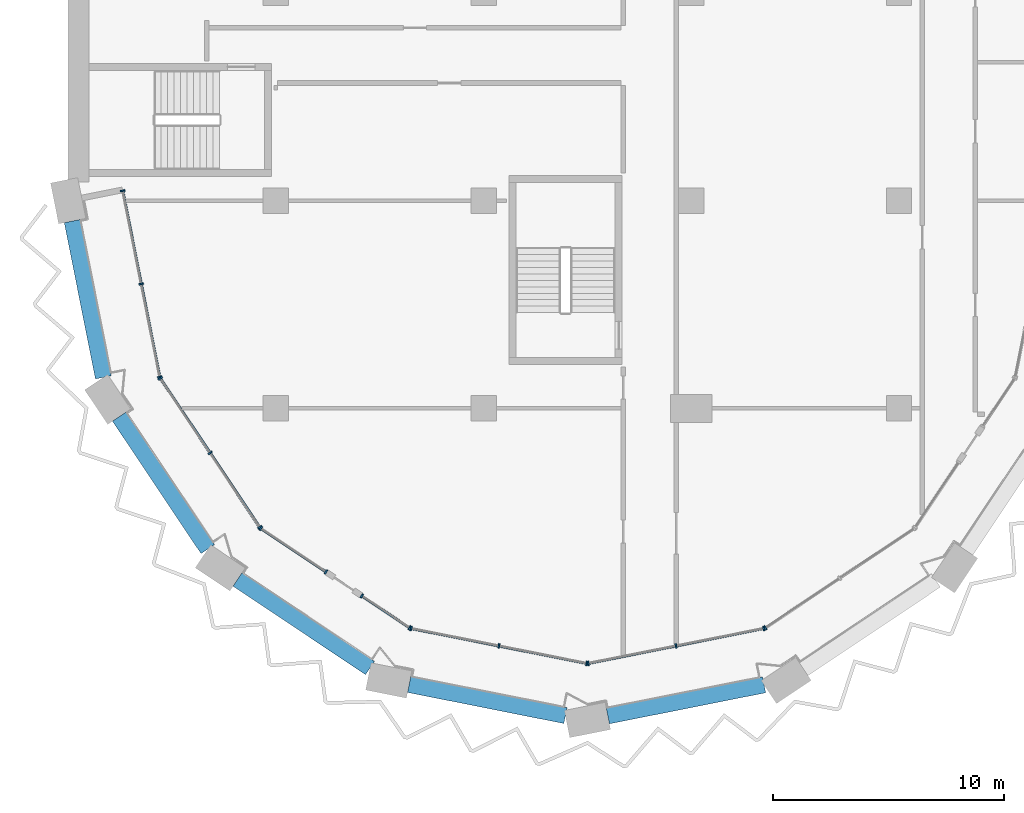
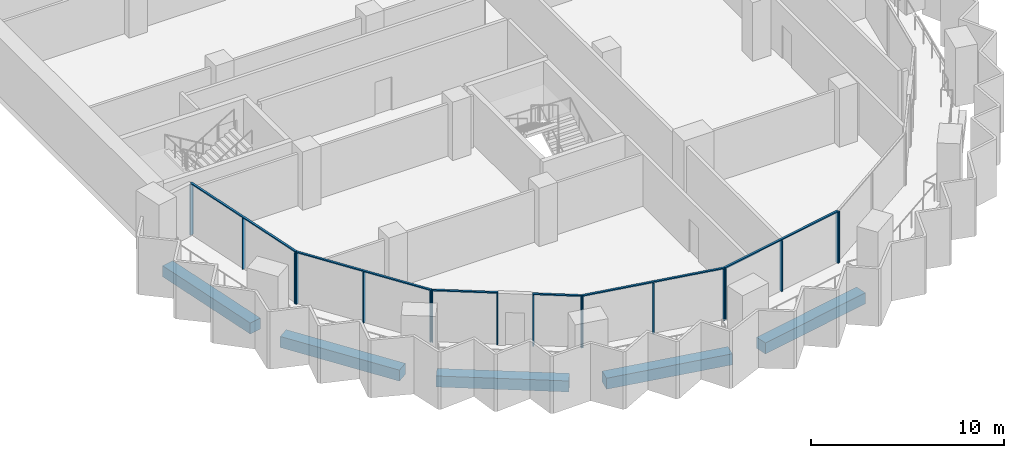
# One storey, part 2 of 17: 23 members, 5 beams, 7 elements without a shape of their own.
"""IFC4 building model written with IfcOpenShell, lengths in metres."""

from ifc_helpers import new_model, si_unit, direction, frame, origin, origin_2d, place, context, subcontext, project, spatial, rectangle, extrude, material, material_profile, profile_set, type_object, element, aggregate, save


model = new_model("IFC4")

# Units and contexts
model_context = context("Model", 3, precision=1e-05, world=origin(), true_north=direction((0.0, 1.0)))
body_context = subcontext(model_context, "Body", "Model", "MODEL_VIEW")
ifc_project = project(units=[si_unit("LENGTHUNIT", "METRE"), si_unit("AREAUNIT", "SQUARE_METRE"), si_unit("VOLUMEUNIT", "CUBIC_METRE"), si_unit("PLANEANGLEUNIT", "RADIAN"), si_unit("MASSUNIT", "GRAM", prefix="KILO")], contexts=[model_context])

# Site, building, storey
site_placement = place(None, origin())
site = spatial("IfcSite", under=ifc_project, at=site_placement, CompositionType="ELEMENT")
building_placement = place(site_placement, origin())
building = spatial("IfcBuilding", under=site, at=building_placement, Name="Hunhe Ridgeline Campus", CompositionType="ELEMENT")
storey_placement = place(building_placement, frame((0.0, 0.0, 197.60009765625)))
storey = spatial("IfcBuildingStorey", under=building, at=storey_placement, Name="L50", CompositionType="ELEMENT", Elevation=197.60009765625)

# Curtain wall, members
ifc_material_1 = material(Name="Aluminium 6063", Category="aluminium")
curtain_wall_type = type_object("IfcCurtainWallType", Name="Curtain wall CW-5", PredefinedType="NOTDEFINED", material=ifc_material_1)
curtain_wall_1_placement = place(storey_placement, origin())
curtain_wall_1 = element("IfcCurtainWall", 1, at=curtain_wall_1_placement, inside=storey, type_object=curtain_wall_type, Name="Curtain wall 01", PredefinedType="NOTDEFINED")
ifc_material_profile_1 = material_profile(ifc_material_1, rectangle(XDim=0.199951171875, YDim=0.070068359375, at=origin_2d()))
ifc_profile_set_1 = profile_set([ifc_material_profile_1], Name="Aluminium 6063")
member_type_1 = type_object("IfcMemberType", Name="CW-5 aluminium mullion", PredefinedType="MULLION", material=ifc_profile_set_1)
member_1_placement = place(storey_placement, frame((2.361572265625, 36.434326171875, 0.0), z_axis=(0.0, 0.0, 1.0), x_axis=(0.980784280831, 0.195095347137, 0.0)))
member_1 = element("IfcMember", 2, at=member_1_placement, type_object=member_type_1, Name="CW-5 mullion 1", PredefinedType="MULLION", context=body_context, shape_type="SweptSolid", body=[
    extrude(rectangle(XDim=0.199951171875, YDim=0.070068359375, at=origin_2d()), origin(), (0.0, 0.0, 1.0), 3.22998046875),
])
member_2_placement = place(storey_placement, frame((3.16455078125, 32.3974609375, 0.0), z_axis=(0.0, 0.0, 1.0), x_axis=(0.980784280831, 0.195095347137, 0.0)))
member_2 = element("IfcMember", 3, at=member_2_placement, type_object=member_type_1, Name="CW-5 mullion 2", PredefinedType="MULLION", context=body_context, shape_type="SweptSolid", body=[
    extrude(rectangle(XDim=0.199951171875, YDim=0.070068359375, at=origin_2d()), origin(), (0.0, 0.0, 1.0), 3.22998046875),
])
member_3_placement = place(storey_placement, frame((3.967529296875, 28.36083984375, 0.0), z_axis=(0.0, 0.0, 1.0), x_axis=(0.980784280831, 0.195095347137, 0.0)))
member_3 = element("IfcMember", 4, at=member_3_placement, type_object=member_type_1, Name="CW-5 mullion 3", PredefinedType="MULLION", context=body_context, shape_type="SweptSolid", body=[
    extrude(rectangle(XDim=0.199951171875, YDim=0.070068359375, at=origin_2d()), origin(), (0.0, 0.0, 1.0), 3.22998046875),
])

curtain_wall_2_placement = place(storey_placement, origin())
curtain_wall_2 = element("IfcCurtainWall", 5, at=curtain_wall_2_placement, inside=storey, type_object=curtain_wall_type, Name="Curtain wall 02", PredefinedType="NOTDEFINED")
member_4_placement = place(storey_placement, frame((3.993896484375, 28.29736328125, 0.0), z_axis=(0.0, 0.0, 1.0), x_axis=(0.831469584522, 0.555570274596, 0.0)))
member_4 = element("IfcMember", 6, at=member_4_placement, type_object=member_type_1, Name="CW-5 mullion 1", PredefinedType="MULLION", context=body_context, shape_type="SweptSolid", body=[
    extrude(rectangle(XDim=0.199951171875, YDim=0.070068359375, at=origin_2d()), origin(), (0.0, 0.0, 1.0), 3.22998046875),
])
member_5_placement = place(storey_placement, frame((6.147705078125, 25.07373046875, 0.0), z_axis=(0.0, 0.0, 1.0), x_axis=(0.831469584522, 0.555570274596, 0.0)))
member_5 = element("IfcMember", 7, at=member_5_placement, type_object=member_type_1, Name="CW-5 mullion 2", PredefinedType="MULLION", context=body_context, shape_type="SweptSolid", body=[
    extrude(rectangle(XDim=0.199951171875, YDim=0.070068359375, at=origin_2d()), origin(), (0.0, 0.0, 1.0), 3.22998046875),
])
member_6_placement = place(storey_placement, frame((8.3017578125, 21.850341796875, 0.0), z_axis=(0.0, 0.0, 1.0), x_axis=(0.831469584522, 0.555570274596, 0.0)))
member_6 = element("IfcMember", 8, at=member_6_placement, type_object=member_type_1, Name="CW-5 mullion 3", PredefinedType="MULLION", context=body_context, shape_type="SweptSolid", body=[
    extrude(rectangle(XDim=0.199951171875, YDim=0.070068359375, at=origin_2d()), origin(), (0.0, 0.0, 1.0), 3.22998046875),
])

curtain_wall_3_placement = place(storey_placement, origin())
curtain_wall_3 = element("IfcCurtainWall", 9, at=curtain_wall_3_placement, inside=storey, type_object=curtain_wall_type, Name="Curtain wall 03", PredefinedType="NOTDEFINED")
member_7_placement = place(storey_placement, frame((8.350341796875, 21.8017578125, 0.0), z_axis=(0.0, 0.0, 1.0), x_axis=(0.555570257501, 0.831469595944, 0.0)))
member_7 = element("IfcMember", 10, at=member_7_placement, type_object=member_type_1, Name="CW-5 mullion 1", PredefinedType="MULLION", context=body_context, shape_type="SweptSolid", body=[
    extrude(rectangle(XDim=0.199951171875, YDim=0.070068359375, at=origin_2d()), origin(), (0.0, 0.0, 1.0), 3.22998046875),
])
member_8_placement = place(storey_placement, frame((11.17041015625, 19.917236328125, 0.0), z_axis=(0.0, 0.0, 1.0), x_axis=(0.555570257501, 0.831469595944, 0.0)))
member_8 = element("IfcMember", 11, at=member_8_placement, type_object=member_type_1, Name="CW-5 mullion 2", PredefinedType="MULLION", context=body_context, shape_type="SweptSolid", body=[
    extrude(rectangle(XDim=0.199951171875, YDim=0.070068359375, at=origin_2d()), origin(), (0.0, 0.0, 1.0), 3.22998046875),
])

curtain_wall_4_placement = place(storey_placement, origin())
curtain_wall_4 = element("IfcCurtainWall", 12, at=curtain_wall_4_placement, inside=storey, type_object=curtain_wall_type, Name="Curtain wall 04", PredefinedType="NOTDEFINED")
member_9_placement = place(storey_placement, frame((12.725341796875, 18.87841796875, 0.0), z_axis=(0.0, 0.0, 1.0), x_axis=(0.555570385598, 0.831469510353, 0.0)))
member_9 = element("IfcMember", 13, at=member_9_placement, type_object=member_type_1, Name="CW-5 mullion 1", PredefinedType="MULLION", context=body_context, shape_type="SweptSolid", body=[
    extrude(rectangle(XDim=0.199951171875, YDim=0.070068359375, at=origin_2d()), origin(), (0.0, 0.0, 1.0), 3.22998046875),
])
member_10_placement = place(storey_placement, frame((14.79736328125, 17.493896484375, 0.0), z_axis=(0.0, 0.0, 1.0), x_axis=(0.555570385598, 0.831469510353, 0.0)))
member_10 = element("IfcMember", 14, at=member_10_placement, type_object=member_type_1, Name="CW-5 mullion 2", PredefinedType="MULLION", context=body_context, shape_type="SweptSolid", body=[
    extrude(rectangle(XDim=0.199951171875, YDim=0.070068359375, at=origin_2d()), origin(), (0.0, 0.0, 1.0), 3.22998046875),
])

curtain_wall_5_placement = place(storey_placement, origin())
curtain_wall_5 = element("IfcCurtainWall", 15, at=curtain_wall_5_placement, inside=storey, type_object=curtain_wall_type, Name="Curtain wall 05", PredefinedType="NOTDEFINED")
member_11_placement = place(storey_placement, frame((14.86083984375, 17.467529296875, 0.0), z_axis=(0.0, 0.0, 1.0), x_axis=(0.195090347539, 0.980785275326, 0.0)))
member_11 = element("IfcMember", 16, at=member_11_placement, type_object=member_type_1, Name="CW-5 mullion 1", PredefinedType="MULLION", context=body_context, shape_type="SweptSolid", body=[
    extrude(rectangle(XDim=0.199951171875, YDim=0.070068359375, at=origin_2d()), origin(), (0.0, 0.0, 1.0), 3.22998046875),
])
member_12_placement = place(storey_placement, frame((18.663330078125, 16.711181640625, 0.0), z_axis=(0.0, 0.0, 1.0), x_axis=(0.195090347539, 0.980785275326, 0.0)))
member_12 = element("IfcMember", 17, at=member_12_placement, type_object=member_type_1, Name="CW-5 mullion 2", PredefinedType="MULLION", context=body_context, shape_type="SweptSolid", body=[
    extrude(rectangle(XDim=0.199951171875, YDim=0.070068359375, at=origin_2d()), origin(), (0.0, 0.0, 1.0), 3.22998046875),
])
member_13_placement = place(storey_placement, frame((22.465576171875, 15.954833984375, 0.0), z_axis=(0.0, 0.0, 1.0), x_axis=(0.195090347539, 0.980785275326, 0.0)))
member_13 = element("IfcMember", 18, at=member_13_placement, type_object=member_type_1, Name="CW-5 mullion 3", PredefinedType="MULLION", context=body_context, shape_type="SweptSolid", body=[
    extrude(rectangle(XDim=0.199951171875, YDim=0.070068359375, at=origin_2d()), origin(), (0.0, 0.0, 1.0), 3.22998046875),
])

curtain_wall_6_placement = place(storey_placement, origin())
curtain_wall_6 = element("IfcCurtainWall", 19, at=curtain_wall_6_placement, inside=storey, type_object=curtain_wall_type, Name="Curtain wall 06", PredefinedType="NOTDEFINED")
member_14_placement = place(storey_placement, frame((22.534423828125, 15.954833984375, 0.0), z_axis=(0.0, 0.0, 1.0), x_axis=(-0.195090347539, 0.980785275326, 0.0)))
member_14 = element("IfcMember", 20, at=member_14_placement, type_object=member_type_1, Name="CW-5 mullion 1", PredefinedType="MULLION", context=body_context, shape_type="SweptSolid", body=[
    extrude(rectangle(XDim=0.199951171875, YDim=0.070068359375, at=origin_2d()), origin(), (0.0, 0.0, 1.0), 3.22998046875),
])
member_15_placement = place(storey_placement, frame((26.336669921875, 16.711181640625, 0.0), z_axis=(0.0, 0.0, 1.0), x_axis=(-0.195090347539, 0.980785275326, 0.0)))
member_15 = element("IfcMember", 21, at=member_15_placement, type_object=member_type_1, Name="CW-5 mullion 2", PredefinedType="MULLION", context=body_context, shape_type="SweptSolid", body=[
    extrude(rectangle(XDim=0.199951171875, YDim=0.070068359375, at=origin_2d()), origin(), (0.0, 0.0, 1.0), 3.22998046875),
])
member_16_placement = place(storey_placement, frame((30.13916015625, 17.467529296875, 0.0), z_axis=(0.0, 0.0, 1.0), x_axis=(-0.195090347539, 0.980785275326, 0.0)))
member_16 = element("IfcMember", 22, at=member_16_placement, type_object=member_type_1, Name="CW-5 mullion 3", PredefinedType="MULLION", context=body_context, shape_type="SweptSolid", body=[
    extrude(rectangle(XDim=0.199951171875, YDim=0.070068359375, at=origin_2d()), origin(), (0.0, 0.0, 1.0), 3.22998046875),
])

# Curtain wall, member
curtain_wall_7_placement = place(storey_placement, origin())
curtain_wall_7 = element("IfcCurtainWall", 23, at=curtain_wall_7_placement, inside=storey, type_object=curtain_wall_type, Name="Curtain wall 07", PredefinedType="NOTDEFINED")
member_17_placement = place(storey_placement, frame((30.20263671875, 17.493896484375, 0.0), z_axis=(0.0, 0.0, 1.0), x_axis=(-0.555570274596, 0.831469584522, 0.0)))
member_17 = element("IfcMember", 24, at=member_17_placement, type_object=member_type_1, Name="CW-5 mullion 1", PredefinedType="MULLION", context=body_context, shape_type="SweptSolid", body=[
    extrude(rectangle(XDim=0.199951171875, YDim=0.070068359375, at=origin_2d()), origin(), (0.0, 0.0, 1.0), 3.22998046875),
])
aggregate(curtain_wall_7, [member_17])

# Member
ifc_material_profile_2 = material_profile(ifc_material_1, rectangle(XDim=0.1201171875, YDim=0.070068359375, at=origin_2d()))
ifc_profile_set_2 = profile_set([ifc_material_profile_2], Name="Aluminium 6063")
member_type_2 = type_object("IfcMemberType", Name="CW-5 aluminium transom", PredefinedType="USERDEFINED", material=ifc_profile_set_2)
member_18_placement = place(storey_placement, frame((2.354736328125, 36.46875, 3.264892578125), z_axis=(0.195092405068, -0.980784866056, 0.0), x_axis=(0.980784866056, 0.195092405068, 0.0)))
member_18 = element("IfcMember", 25, at=member_18_placement, type_object=member_type_2, Name="CW-5 transom 1", ObjectType="TRANSOM", PredefinedType="USERDEFINED", context=body_context, shape_type="SweptSolid", body=[
    extrude(rectangle(XDim=0.1201171875, YDim=0.070068359375, at=origin_2d()), origin(), (0.0, 0.0, 1.0), 8.3017578125),
])

aggregate(curtain_wall_1, [member_18, member_1, member_2, member_3])

member_19_placement = place(storey_placement, frame((3.974365234375, 28.326416015625, 3.264892578125), z_axis=(0.5555640203, -0.831473763475, 0.0), x_axis=(0.831473763475, 0.5555640203, 0.0)))
member_19 = element("IfcMember", 26, at=member_19_placement, type_object=member_type_2, Name="CW-5 transom 1", ObjectType="TRANSOM", PredefinedType="USERDEFINED", context=body_context, shape_type="SweptSolid", body=[
    extrude(rectangle(XDim=0.1201171875, YDim=0.070068359375, at=origin_2d()), origin(), (0.0, 0.0, 1.0), 7.823974609375),
])

aggregate(curtain_wall_2, [member_19, member_4, member_5, member_6])

member_20_placement = place(storey_placement, frame((8.321044921875, 21.821044921875, 3.264892578125), z_axis=(0.831485714606, -0.555546133463, 0.0), x_axis=(0.555546133463, 0.831485714606, 0.0)))
member_20 = element("IfcMember", 27, at=member_20_placement, type_object=member_type_2, Name="CW-5 transom 1", ObjectType="TRANSOM", PredefinedType="USERDEFINED", context=body_context, shape_type="SweptSolid", body=[
    extrude(rectangle(XDim=0.1201171875, YDim=0.070068359375, at=origin_2d()), origin(), (0.0, 0.0, 1.0), 3.462158203125),
])

aggregate(curtain_wall_3, [member_20, member_7, member_8])

member_21_placement = place(storey_placement, frame((12.6962890625, 18.897705078125, 3.264892578125), z_axis=(0.831463388334, -0.555579547735, 0.0), x_axis=(0.555579547735, 0.831463388334, 0.0)))
member_21 = element("IfcMember", 28, at=member_21_placement, type_object=member_type_2, Name="CW-5 transom 1", ObjectType="TRANSOM", PredefinedType="USERDEFINED", context=body_context, shape_type="SweptSolid", body=[
    extrude(rectangle(XDim=0.1201171875, YDim=0.070068359375, at=origin_2d()), origin(), (0.0, 0.0, 1.0), 2.56201171875),
])

aggregate(curtain_wall_4, [member_21, member_9, member_10])

member_22_placement = place(storey_placement, frame((14.826416015625, 17.474365234375, 3.264892578125), z_axis=(0.980785367689, -0.195089883198, 0.0), x_axis=(0.195089883198, 0.980785367689, 0.0)))
member_22 = element("IfcMember", 29, at=member_22_placement, type_object=member_type_2, Name="CW-5 transom 1", ObjectType="TRANSOM", PredefinedType="USERDEFINED", context=body_context, shape_type="SweptSolid", body=[
    extrude(rectangle(XDim=0.1201171875, YDim=0.070068359375, at=origin_2d()), origin(), (0.0, 0.0, 1.0), 7.823974609375),
])

aggregate(curtain_wall_5, [member_22, member_11, member_12, member_13])

member_23_placement = place(storey_placement, frame((22.5, 15.947998046875, 3.264892578125), z_axis=(0.980785367689, 0.195089883198, 0.0), x_axis=(-0.195089883198, 0.980785367689, 0.0)))
member_23 = element("IfcMember", 30, at=member_23_placement, type_object=member_type_2, Name="CW-5 transom 1", ObjectType="TRANSOM", PredefinedType="USERDEFINED", context=body_context, shape_type="SweptSolid", body=[
    extrude(rectangle(XDim=0.1201171875, YDim=0.070068359375, at=origin_2d()), origin(), (0.0, 0.0, 1.0), 7.823974609375),
])

aggregate(curtain_wall_6, [member_23, member_14, member_15, member_16])

# Beams
ifc_material_2 = material(Name="Concrete C50", Category="concrete")
ifc_material_profile_3 = material_profile(ifc_material_2, rectangle(XDim=0.699951171875, YDim=0.699951171875, at=origin_2d()))
ifc_profile_set_3 = profile_set([ifc_material_profile_3], Name="Concrete C50")
beam_type = type_object("IfcBeamType", Name="RC spandrel beam 700x700 Concrete C50", PredefinedType="SPANDREL", material=ifc_profile_set_3)
for number, where, z_axis, x_axis, name in (
    (31, (0.175537109375, 35.1171875, -0.60009765625), (0.195102900975, -0.980782778209, 0.0), (0.980782778209, 0.195102900975, 0.0), "Spandrel beam B3-1 L50"),
    (32, (2.212646484375, 26.641357421875, -0.60009765625), (0.55557295, -0.831467796868, 0.0), (0.831467796868, 0.55557295, 0.0), "Spandrel beam B3-2 L50"),
    (33, (7.33837890625, 19.590087890625, -0.60009765625), (0.831467796868, -0.55557295, 0.0), (0.55557295, 0.831467796868, 0.0), "Spandrel beam B3-3 L50"),
    (34, (14.772216796875, 15.037109375, -0.60009765625), (0.980784124029, -0.195096135414, 0.0), (0.195096135414, 0.980784124029, 0.0), "Spandrel beam B3-4 L50"),
    (35, (23.3828125, 13.675537109375, -0.60009765625), (0.980782778209, 0.195102900975, 0.0), (-0.195102900975, 0.980782778209, 0.0), "Spandrel beam B3-5 L50"),
):
    element("IfcBeam", number, at=place(storey_placement, frame(where, z_axis=z_axis, x_axis=x_axis)), inside=storey, type_object=beam_type, Name=name, PredefinedType="SPANDREL", context=body_context, shape_type="SweptSolid", body=[
        extrude(rectangle(XDim=0.699951171875, YDim=0.699951171875, at=origin_2d()), origin(), (0.0, 0.0, 1.0), 6.905029296875),
    ])

save(model, "model.ifc")
